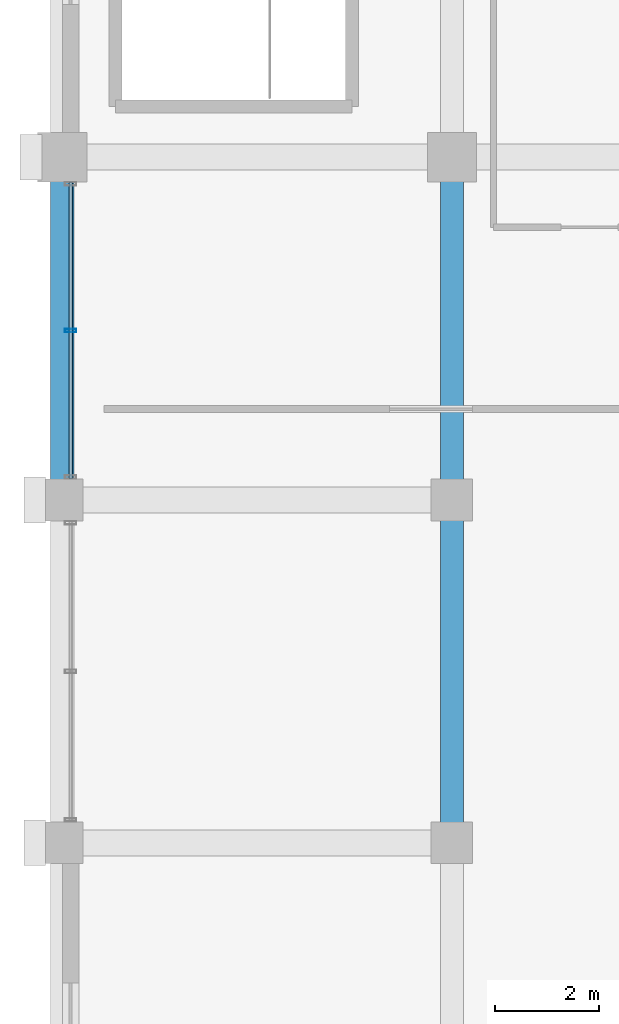
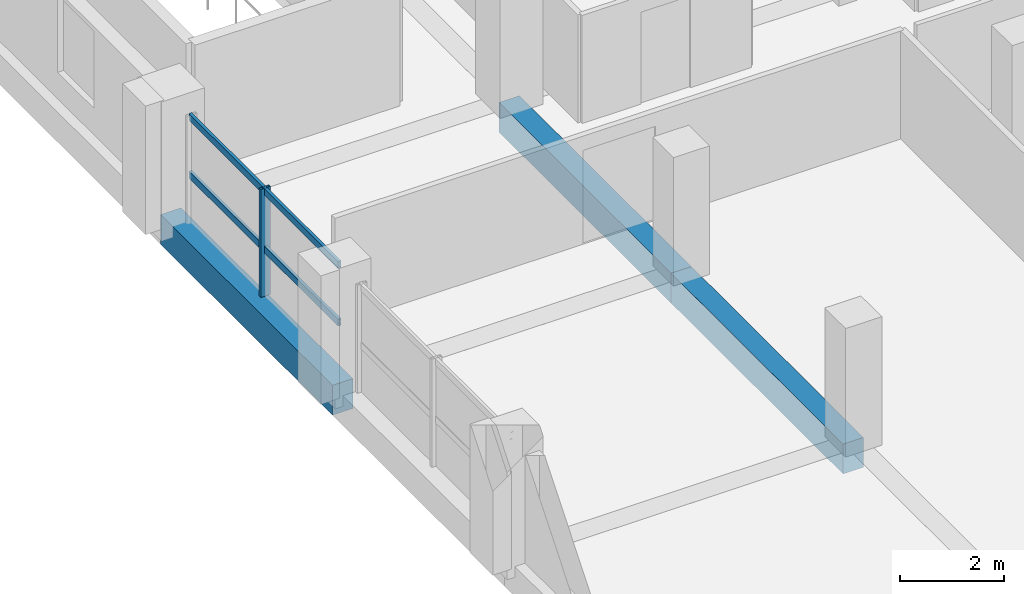
# One storey, part 5 of 21: 3 beams, 3 members, 1 element without a shape of its own.
"""IFC4 building model written with IfcOpenShell, lengths in metres."""

from ifc_helpers import new_model, si_unit, direction, frame, origin, origin_2d, place, context, subcontext, project, spatial, rectangle, hollow_rectangle, extrude, material, material_profile, profile_set, type_object, element, aggregate, save


model = new_model("IFC4")

# Units and contexts
model_context = context("Model", 3, precision=1e-05, world=origin(), true_north=direction((0.0, 1.0)))
body_context = subcontext(model_context, "Body", "Model", "MODEL_VIEW")
ifc_project = project(units=[si_unit("LENGTHUNIT", "METRE"), si_unit("AREAUNIT", "SQUARE_METRE"), si_unit("VOLUMEUNIT", "CUBIC_METRE"), si_unit("PLANEANGLEUNIT", "RADIAN"), si_unit("MASSUNIT", "GRAM", prefix="KILO")], contexts=[model_context])

# Site, building, storey
site_placement = place(None, origin())
site = spatial("IfcSite", under=ifc_project, at=site_placement, CompositionType="ELEMENT")
building_placement = place(site_placement, origin())
building = spatial("IfcBuilding", under=site, at=building_placement, Name="Akrevak Sports Hall", CompositionType="ELEMENT")
storey_placement = place(building_placement, frame((0.0, 0.0, 37.300048828125)))
storey = spatial("IfcBuildingStorey", under=building, at=storey_placement, Name="L08", CompositionType="ELEMENT", Elevation=37.300048828125)

# Curtain wall, members
ifc_material_1 = material(Name="Anodized Bronze Aluminium & Low-E Glass", Category="aluminium")
curtain_wall_type = type_object("IfcCurtainWallType", Name="ARC-CW-TWR-72x30", PredefinedType="NOTDEFINED", material=ifc_material_1)
curtain_wall_placement = place(storey_placement, origin())
curtain_wall = element("IfcCurtainWall", 1, at=curtain_wall_placement, inside=storey, type_object=curtain_wall_type, Name="Curtain Wall CW-L08-W30", PredefinedType="NOTDEFINED")
ifc_material_2 = material(Name="Anodized Bronze Aluminium", Category="aluminium")
ifc_material_profile_1 = material_profile(ifc_material_2, hollow_rectangle(XDim=0.06494140625, YDim=0.219970703125, WallThickness=0.00439453125, at=origin_2d()), Name="CWM 65x220", Category="aluminium")
ifc_profile_set_1 = profile_set([ifc_material_profile_1], Name="Anodized Bronze Aluminium")
member_type_1 = type_object("IfcMemberType", Name="ARC-CWM-70x160", PredefinedType="MULLION", material=ifc_profile_set_1)
member_1_placement = place(storey_placement, frame((45.159912109375, 51.862548828125, 0.0), z_axis=(0.0, 0.0, 1.0), x_axis=(0.0, -1.0, 0.0)))
member_1 = element("IfcMember", 2, at=member_1_placement, type_object=member_type_1, Name="Curtain Wall Mullion CW-L08-W30-M2", PredefinedType="MULLION", context=body_context, shape_type="SweptSolid", body=[
    extrude(hollow_rectangle(XDim=0.06494140625, YDim=0.219970703125, WallThickness=0.00439453125, at=origin_2d()), origin(), (0.0, 0.0, 1.0), 2.530029296875),
])
ifc_material_profile_2 = material_profile(ifc_material_2, hollow_rectangle(XDim=0.06494140625, YDim=0.159912109375, WallThickness=0.00390625, at=origin_2d()), Name="CWT 65x160", Category="aluminium")
ifc_profile_set_2 = profile_set([ifc_material_profile_2], Name="Anodized Bronze Aluminium")
member_type_2 = type_object("IfcMemberType", Name="ARC-CWT-70x130", PredefinedType="USERDEFINED", material=ifc_profile_set_2)
member_2_placement = place(storey_placement, frame((45.159912109375, 54.72509765625, 1.099853515625), z_axis=(0.0, -1.0, 0.0), x_axis=(1.0, 0.0, 0.0)))
member_2 = element("IfcMember", 3, at=member_2_placement, type_object=member_type_2, Name="Curtain Wall Transom CW-L08-W30-T1", ObjectType="TRANSOM", PredefinedType="USERDEFINED", context=body_context, shape_type="SweptSolid", body=[
    extrude(hollow_rectangle(XDim=0.06494140625, YDim=0.159912109375, WallThickness=0.00390625, at=origin_2d()), origin(), (0.0, 0.0, 1.0), 5.72509765625),
])
member_3_placement = place(storey_placement, frame((45.159912109375, 54.72509765625, 2.449951171875), z_axis=(0.0, -1.0, 0.0), x_axis=(1.0, 0.0, 0.0)))
member_3 = element("IfcMember", 4, at=member_3_placement, type_object=member_type_2, Name="Curtain Wall Transom CW-L08-W30-T2", ObjectType="TRANSOM", PredefinedType="USERDEFINED", context=body_context, shape_type="SweptSolid", body=[
    extrude(hollow_rectangle(XDim=0.06494140625, YDim=0.159912109375, WallThickness=0.00390625, at=origin_2d()), origin(), (0.0, 0.0, 1.0), 5.72509765625),
])
aggregate(curtain_wall, [member_1, member_2, member_3])

# Beams
ifc_material_3 = material(Name="Concrete C40/50", Category="concrete")
ifc_material_profile_3 = material_profile(ifc_material_3, rectangle(XDim=0.449951171875, YDim=0.699951171875, at=origin_2d()), Name="BM 450x700", Category="concrete")
ifc_profile_set_3 = profile_set([ifc_material_profile_3], Name="Concrete C40/50")
beam_type = type_object("IfcBeamType", Name="STR-BM-RC450x700", PredefinedType="BEAM", material=ifc_profile_set_3)
beam_1_placement = place(storey_placement, frame((45.0, 48.60009765625, -0.35009765625), z_axis=(0.0, 1.0, 0.0), x_axis=(-1.0, 0.0, 0.0)))
element("IfcBeam", 5, at=beam_1_placement, inside=storey, type_object=beam_type, Name="Girder 7/H-I (L08)", PredefinedType="BEAM", context=body_context, shape_type="SweptSolid", body=[
    extrude(rectangle(XDim=0.449951171875, YDim=0.699951171875, at=origin_2d()), origin(), (0.0, 0.0, 1.0), 6.599853515625),
])
beam_2_placement = place(storey_placement, frame((52.5, 42.0, -0.35009765625), z_axis=(0.0, 1.0, 0.0), x_axis=(-1.0, 0.0, 0.0)))
element("IfcBeam", 6, at=beam_2_placement, inside=storey, type_object=beam_type, Name="Girder 8/G-H (L08)", PredefinedType="BEAM", context=body_context, shape_type="SweptSolid", body=[
    extrude(rectangle(XDim=0.449951171875, YDim=0.699951171875, at=origin_2d()), origin(), (0.0, 0.0, 1.0), 6.60009765625),
])
beam_3_placement = place(storey_placement, frame((52.5, 48.60009765625, -0.35009765625), z_axis=(0.0, 1.0, 0.0), x_axis=(-1.0, 0.0, 0.0)))
element("IfcBeam", 7, at=beam_3_placement, inside=storey, type_object=beam_type, Name="Girder 8/H-I (L08)", PredefinedType="BEAM", context=body_context, shape_type="SweptSolid", body=[
    extrude(rectangle(XDim=0.449951171875, YDim=0.699951171875, at=origin_2d()), origin(), (0.0, 0.0, 1.0), 6.599853515625),
])

save(model, "model.ifc")
